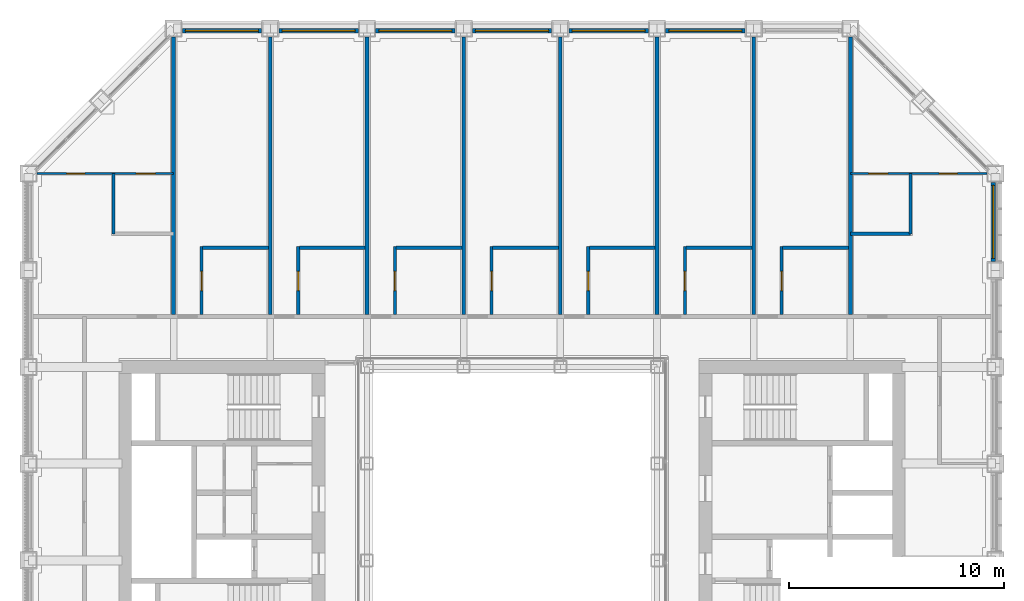
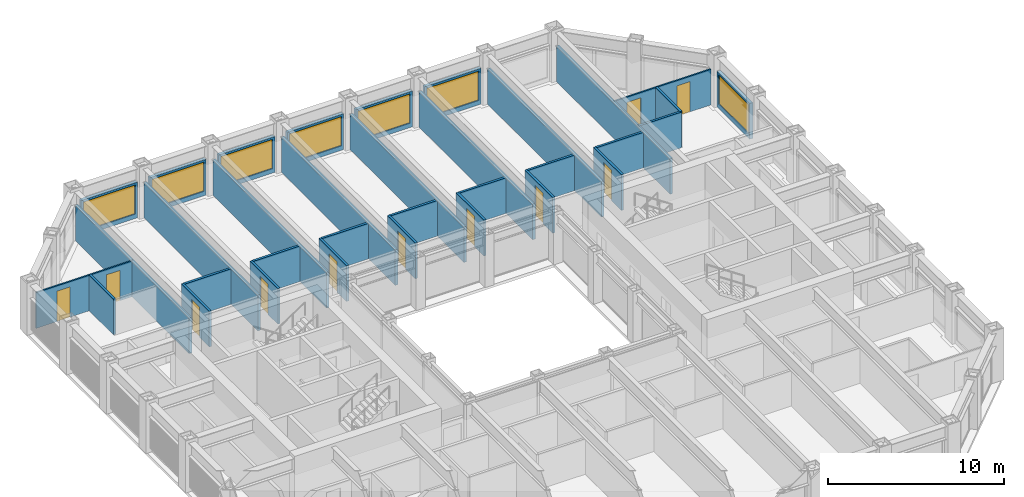
# One storey, part 14 of 18: 34 walls, 11 doors, 7 windows, 18 openings.
"""IFC4 building model written with IfcOpenShell, lengths in metres."""

from ifc_helpers import new_model, si_unit, direction, frame, frame_2d, origin, place, context, subcontext, project, spatial, rectangle, extrude, material, layer, layer_set, type_object, element, fill, save


model = new_model("IFC4")

# Units and contexts
model_context = context("Model", 3, precision=1e-05, world=origin(), true_north=direction((0.0, 1.0)))
body_context = subcontext(model_context, "Body", "Model", "MODEL_VIEW")
ifc_project = project(units=[si_unit("LENGTHUNIT", "METRE"), si_unit("AREAUNIT", "SQUARE_METRE"), si_unit("VOLUMEUNIT", "CUBIC_METRE"), si_unit("PLANEANGLEUNIT", "RADIAN"), si_unit("MASSUNIT", "GRAM", prefix="KILO")], contexts=[model_context])

# Site, building, storey
site_placement = place(None, origin())
site = spatial("IfcSite", under=ifc_project, at=site_placement, CompositionType="ELEMENT")
building_placement = place(site_placement, origin())
building = spatial("IfcBuilding", under=site, at=building_placement, Name="Msasa Ring Tower", CompositionType="ELEMENT")
storey_placement = place(building_placement, frame((0.0, 0.0, 122.0)))
storey = spatial("IfcBuildingStorey", under=building, at=storey_placement, Name="L31", CompositionType="ELEMENT", Elevation=122.0)

# Wall, opening, window
ifc_material_1 = material(Name="Terracotta rainscreen on blockwork", Category="masonry")
ifc_layer_1 = layer(ifc_material_1, 0.199951171875)
ifc_layer_set_1 = layer_set([ifc_layer_1], Name="FW1 TERRACOTTA-LINED INFILL BAY WALL 200")
wall_type_1 = type_object("IfcWallType", Name="FW1 TERRACOTTA-LINED INFILL BAY WALL 200", PredefinedType="SOLIDWALL", material=ifc_layer_set_1)
wall_1_placement = place(storey_placement, frame((22.39990234375, 11.655029296875, 0.0), z_axis=(0.0, 0.0, 1.0), x_axis=(0.0, 1.0, 0.0)))
wall_1 = element("IfcWall", 1, at=wall_1_placement, inside=storey, type_object=wall_type_1, Name="Infill bay wall E L31 15", PredefinedType="SOLIDWALL", context=body_context, shape_type="SweptSolid", body=[
    extrude(rectangle(XDim=3.68994140625, YDim=0.199951171875, at=frame_2d((1.844970703125, 0.0))), origin(), (0.0, 0.0, 1.0), 2.47900390625),
])
opening_1_placement = place(wall_1_placement, frame((0.14501953125, 0.0, 0.300048828125)))
opening_1 = element("IfcOpeningElement", 2, at=opening_1_placement, cuts=wall_1, Name="Opening WN2", PredefinedType="OPENING", context=body_context, shape_type="SweptSolid", body=[
    extrude(rectangle(XDim=3.39990234375, YDim=2.029052734375, at=frame_2d((1.699951171875, 1.0146484375))), frame((0.0, 0.10986328125, 0.0), z_axis=(0.0, -1.0, 0.0), x_axis=(1.0, 0.0, 0.0)), (0.0, 0.0, 1.0), 0.219970703125),
])
ifc_material_2 = material(Name="Aluminium frame with clear glass", Category="aluminium")
window_type = type_object("IfcWindowType", Name="WN2 GUEST ROOM WINDOW 3400x2029", PartitioningType="SINGLE_PANEL", PredefinedType="WINDOW", material=ifc_material_2)
window_1_placement = place(opening_1_placement, origin())
window_1 = element("IfcWindow", 3, at=window_1_placement, inside=storey, type_object=window_type, Name="Window E L31 15", OverallHeight=2.029052734375, OverallWidth=3.39990234375, PartitioningType="SINGLE_PANEL", PredefinedType="WINDOW", context=body_context, shape_type="SweptSolid", body=[
    extrude(rectangle(XDim=3.39990234375, YDim=2.029052734375, at=frame_2d((1.699951171875, 1.0146484375))), frame((0.0, 0.030029296875, 0.0), z_axis=(0.0, -1.0, 0.0), x_axis=(1.0, 0.0, 0.0)), (0.0, 0.0, 1.0), 0.06005859375),
])
fill(opening_1, window_1)

wall_2_placement = place(storey_placement, frame((-15.344970703125, 22.39990234375, 0.0), z_axis=(0.0, 0.0, 1.0), x_axis=(1.0, 0.0, 0.0)))
wall_2 = element("IfcWall", 4, at=wall_2_placement, inside=storey, type_object=wall_type_1, Name="Infill bay wall N L31 18", PredefinedType="SOLIDWALL", context=body_context, shape_type="SweptSolid", body=[
    extrude(rectangle(XDim=3.68994140625, YDim=0.199951171875, at=frame_2d((1.844970703125, 0.0))), origin(), (0.0, 0.0, 1.0), 2.47900390625),
])
opening_2_placement = place(wall_2_placement, frame((0.14501953125, 0.0, 0.300048828125)))
opening_2 = element("IfcOpeningElement", 5, at=opening_2_placement, cuts=wall_2, Name="Opening WN2", PredefinedType="OPENING", context=body_context, shape_type="SweptSolid", body=[
    extrude(rectangle(XDim=3.39990234375, YDim=2.029052734375, at=frame_2d((1.699951171875, 1.0146484375))), frame((0.0, 0.10986328125, 0.0), z_axis=(0.0, -1.0, 0.0), x_axis=(1.0, 0.0, 0.0)), (0.0, 0.0, 1.0), 0.219970703125),
])
window_2_placement = place(opening_2_placement, origin())
window_2 = element("IfcWindow", 6, at=window_2_placement, inside=storey, type_object=window_type, Name="Window N L31 18", OverallHeight=2.029052734375, OverallWidth=3.39990234375, PartitioningType="SINGLE_PANEL", PredefinedType="WINDOW", context=body_context, shape_type="SweptSolid", body=[
    extrude(rectangle(XDim=3.39990234375, YDim=2.029052734375, at=frame_2d((1.699951171875, 1.0146484375))), frame((0.0, 0.030029296875, 0.0), z_axis=(0.0, -1.0, 0.0), x_axis=(1.0, 0.0, 0.0)), (0.0, 0.0, 1.0), 0.06005859375),
])
fill(opening_2, window_2)

wall_3_placement = place(storey_placement, frame((-10.844970703125, 22.39990234375, 0.0), z_axis=(0.0, 0.0, 1.0), x_axis=(1.0, 0.0, 0.0)))
wall_3 = element("IfcWall", 7, at=wall_3_placement, inside=storey, type_object=wall_type_1, Name="Infill bay wall N L31 19", PredefinedType="SOLIDWALL", context=body_context, shape_type="SweptSolid", body=[
    extrude(rectangle(XDim=3.68994140625, YDim=0.199951171875, at=frame_2d((1.844970703125, 0.0))), origin(), (0.0, 0.0, 1.0), 2.47900390625),
])
opening_3_placement = place(wall_3_placement, frame((0.14501953125, 0.0, 0.300048828125)))
opening_3 = element("IfcOpeningElement", 8, at=opening_3_placement, cuts=wall_3, Name="Opening WN2", PredefinedType="OPENING", context=body_context, shape_type="SweptSolid", body=[
    extrude(rectangle(XDim=3.39990234375, YDim=2.029052734375, at=frame_2d((1.699951171875, 1.0146484375))), frame((0.0, 0.10986328125, 0.0), z_axis=(0.0, -1.0, 0.0), x_axis=(1.0, 0.0, 0.0)), (0.0, 0.0, 1.0), 0.219970703125),
])
window_3_placement = place(opening_3_placement, origin())
window_3 = element("IfcWindow", 9, at=window_3_placement, inside=storey, type_object=window_type, Name="Window N L31 19", OverallHeight=2.029052734375, OverallWidth=3.39990234375, PartitioningType="SINGLE_PANEL", PredefinedType="WINDOW", context=body_context, shape_type="SweptSolid", body=[
    extrude(rectangle(XDim=3.39990234375, YDim=2.029052734375, at=frame_2d((1.699951171875, 1.0146484375))), frame((0.0, 0.030029296875, 0.0), z_axis=(0.0, -1.0, 0.0), x_axis=(1.0, 0.0, 0.0)), (0.0, 0.0, 1.0), 0.06005859375),
])
fill(opening_3, window_3)

wall_4_placement = place(storey_placement, frame((-6.344970703125, 22.39990234375, 0.0), z_axis=(0.0, 0.0, 1.0), x_axis=(1.0, 0.0, 0.0)))
wall_4 = element("IfcWall", 10, at=wall_4_placement, inside=storey, type_object=wall_type_1, Name="Infill bay wall N L31 20", PredefinedType="SOLIDWALL", context=body_context, shape_type="SweptSolid", body=[
    extrude(rectangle(XDim=3.68994140625, YDim=0.199951171875, at=frame_2d((1.844970703125, 0.0))), origin(), (0.0, 0.0, 1.0), 2.47900390625),
])
opening_4_placement = place(wall_4_placement, frame((0.14501953125, 0.0, 0.300048828125)))
opening_4 = element("IfcOpeningElement", 11, at=opening_4_placement, cuts=wall_4, Name="Opening WN2", PredefinedType="OPENING", context=body_context, shape_type="SweptSolid", body=[
    extrude(rectangle(XDim=3.39990234375, YDim=2.029052734375, at=frame_2d((1.699951171875, 1.0146484375))), frame((0.0, 0.10986328125, 0.0), z_axis=(0.0, -1.0, 0.0), x_axis=(1.0, 0.0, 0.0)), (0.0, 0.0, 1.0), 0.219970703125),
])
window_4_placement = place(opening_4_placement, origin())
window_4 = element("IfcWindow", 12, at=window_4_placement, inside=storey, type_object=window_type, Name="Window N L31 20", OverallHeight=2.029052734375, OverallWidth=3.39990234375, PartitioningType="SINGLE_PANEL", PredefinedType="WINDOW", context=body_context, shape_type="SweptSolid", body=[
    extrude(rectangle(XDim=3.39990234375, YDim=2.029052734375, at=frame_2d((1.699951171875, 1.0146484375))), frame((0.0, 0.030029296875, 0.0), z_axis=(0.0, -1.0, 0.0), x_axis=(1.0, 0.0, 0.0)), (0.0, 0.0, 1.0), 0.06005859375),
])
fill(opening_4, window_4)

wall_5_placement = place(storey_placement, frame((-1.844970703125, 22.39990234375, 0.0), z_axis=(0.0, 0.0, 1.0), x_axis=(1.0, 0.0, 0.0)))
wall_5 = element("IfcWall", 13, at=wall_5_placement, inside=storey, type_object=wall_type_1, Name="Infill bay wall N L31 21", PredefinedType="SOLIDWALL", context=body_context, shape_type="SweptSolid", body=[
    extrude(rectangle(XDim=3.68994140625, YDim=0.199951171875, at=frame_2d((1.844970703125, 0.0))), origin(), (0.0, 0.0, 1.0), 2.47900390625),
])
opening_5_placement = place(wall_5_placement, frame((0.14501953125, 0.0, 0.300048828125)))
opening_5 = element("IfcOpeningElement", 14, at=opening_5_placement, cuts=wall_5, Name="Opening WN2", PredefinedType="OPENING", context=body_context, shape_type="SweptSolid", body=[
    extrude(rectangle(XDim=3.39990234375, YDim=2.029052734375, at=frame_2d((1.699951171875, 1.0146484375))), frame((0.0, 0.10986328125, 0.0), z_axis=(0.0, -1.0, 0.0), x_axis=(1.0, 0.0, 0.0)), (0.0, 0.0, 1.0), 0.219970703125),
])
window_5_placement = place(opening_5_placement, origin())
window_5 = element("IfcWindow", 15, at=window_5_placement, inside=storey, type_object=window_type, Name="Window N L31 21", OverallHeight=2.029052734375, OverallWidth=3.39990234375, PartitioningType="SINGLE_PANEL", PredefinedType="WINDOW", context=body_context, shape_type="SweptSolid", body=[
    extrude(rectangle(XDim=3.39990234375, YDim=2.029052734375, at=frame_2d((1.699951171875, 1.0146484375))), frame((0.0, 0.030029296875, 0.0), z_axis=(0.0, -1.0, 0.0), x_axis=(1.0, 0.0, 0.0)), (0.0, 0.0, 1.0), 0.06005859375),
])
fill(opening_5, window_5)

wall_6_placement = place(storey_placement, frame((2.655029296875, 22.39990234375, 0.0), z_axis=(0.0, 0.0, 1.0), x_axis=(1.0, 0.0, 0.0)))
wall_6 = element("IfcWall", 16, at=wall_6_placement, inside=storey, type_object=wall_type_1, Name="Infill bay wall N L31 22", PredefinedType="SOLIDWALL", context=body_context, shape_type="SweptSolid", body=[
    extrude(rectangle(XDim=3.68994140625, YDim=0.199951171875, at=frame_2d((1.844970703125, 0.0))), origin(), (0.0, 0.0, 1.0), 2.47900390625),
])
opening_6_placement = place(wall_6_placement, frame((0.14501953125, 0.0, 0.300048828125)))
opening_6 = element("IfcOpeningElement", 17, at=opening_6_placement, cuts=wall_6, Name="Opening WN2", PredefinedType="OPENING", context=body_context, shape_type="SweptSolid", body=[
    extrude(rectangle(XDim=3.39990234375, YDim=2.029052734375, at=frame_2d((1.699951171875, 1.0146484375))), frame((0.0, 0.10986328125, 0.0), z_axis=(0.0, -1.0, 0.0), x_axis=(1.0, 0.0, 0.0)), (0.0, 0.0, 1.0), 0.219970703125),
])
window_6_placement = place(opening_6_placement, origin())
window_6 = element("IfcWindow", 18, at=window_6_placement, inside=storey, type_object=window_type, Name="Window N L31 22", OverallHeight=2.029052734375, OverallWidth=3.39990234375, PartitioningType="SINGLE_PANEL", PredefinedType="WINDOW", context=body_context, shape_type="SweptSolid", body=[
    extrude(rectangle(XDim=3.39990234375, YDim=2.029052734375, at=frame_2d((1.699951171875, 1.0146484375))), frame((0.0, 0.030029296875, 0.0), z_axis=(0.0, -1.0, 0.0), x_axis=(1.0, 0.0, 0.0)), (0.0, 0.0, 1.0), 0.06005859375),
])
fill(opening_6, window_6)

wall_7_placement = place(storey_placement, frame((7.155029296875, 22.39990234375, 0.0), z_axis=(0.0, 0.0, 1.0), x_axis=(1.0, 0.0, 0.0)))
wall_7 = element("IfcWall", 19, at=wall_7_placement, inside=storey, type_object=wall_type_1, Name="Infill bay wall N L31 23", PredefinedType="SOLIDWALL", context=body_context, shape_type="SweptSolid", body=[
    extrude(rectangle(XDim=3.68994140625, YDim=0.199951171875, at=frame_2d((1.844970703125, 0.0))), origin(), (0.0, 0.0, 1.0), 2.47900390625),
])
opening_7_placement = place(wall_7_placement, frame((0.14501953125, 0.0, 0.300048828125)))
opening_7 = element("IfcOpeningElement", 20, at=opening_7_placement, cuts=wall_7, Name="Opening WN2", PredefinedType="OPENING", context=body_context, shape_type="SweptSolid", body=[
    extrude(rectangle(XDim=3.39990234375, YDim=2.029052734375, at=frame_2d((1.699951171875, 1.0146484375))), frame((0.0, 0.10986328125, 0.0), z_axis=(0.0, -1.0, 0.0), x_axis=(1.0, 0.0, 0.0)), (0.0, 0.0, 1.0), 0.219970703125),
])
window_7_placement = place(opening_7_placement, origin())
window_7 = element("IfcWindow", 21, at=window_7_placement, inside=storey, type_object=window_type, Name="Window N L31 23", OverallHeight=2.029052734375, OverallWidth=3.39990234375, PartitioningType="SINGLE_PANEL", PredefinedType="WINDOW", context=body_context, shape_type="SweptSolid", body=[
    extrude(rectangle(XDim=3.39990234375, YDim=2.029052734375, at=frame_2d((1.699951171875, 1.0146484375))), frame((0.0, 0.030029296875, 0.0), z_axis=(0.0, -1.0, 0.0), x_axis=(1.0, 0.0, 0.0)), (0.0, 0.0, 1.0), 0.06005859375),
])
fill(opening_7, window_7)

# Wall, openings, doors
ifc_material_3 = material(Name="Gypsum board on steel studs", Category="steel")
ifc_layer_2 = layer(ifc_material_3, 0.10009765625)
ifc_layer_set_2 = layer_set([ifc_layer_2], Name="PT2 STUD PARTITION 100")
wall_type_2 = type_object("IfcWallType", Name="PT2 STUD PARTITION 100", PredefinedType="PARTITIONING", material=ifc_layer_set_2)
wall_8_placement = place(storey_placement, frame((15.75, 15.75, 0.0), z_axis=(0.0, 0.0, 1.0), x_axis=(1.0, 0.0, 0.0)))
wall_8 = element("IfcWall", 22, at=wall_8_placement, inside=storey, type_object=wall_type_2, Name="Partition L31-CSNEX", PredefinedType="PARTITIONING", context=body_context, shape_type="SweptSolid", body=[
    extrude(rectangle(XDim=6.35009765625, YDim=0.10009765625, at=frame_2d((3.175048828125, 0.0))), origin(), (0.0, 0.0, 1.0), 2.473388671875),
])
opening_8_placement = place(wall_8_placement, frame((4.125, 0.0, 0.0)))
opening_8 = element("IfcOpeningElement", 23, at=opening_8_placement, cuts=wall_8, Name="Opening HA-004", PredefinedType="OPENING", context=body_context, shape_type="SweptSolid", body=[
    extrude(rectangle(XDim=0.85009765625, YDim=2.10009765625, at=frame_2d((0.425048828125, 1.050048828125))), frame((0.0, 0.06005859375, 0.0), z_axis=(0.0, -1.0, 0.0), x_axis=(1.0, 0.0, 0.0)), (0.0, 0.0, 1.0), 0.1201171875),
])
opening_9_placement = place(wall_8_placement, frame((0.85009765625, 0.0, 0.0)))
opening_9 = element("IfcOpeningElement", 24, at=opening_9_placement, cuts=wall_8, Name="Opening HA-003", PredefinedType="OPENING", context=body_context, shape_type="SweptSolid", body=[
    extrude(rectangle(XDim=0.89990234375, YDim=2.10009765625, at=frame_2d((0.449951171875, 1.050048828125))), frame((0.0, 0.06005859375, 0.0), z_axis=(0.0, -1.0, 0.0), x_axis=(1.0, 0.0, 0.0)), (0.0, 0.0, 1.0), 0.1201171875),
])
ifc_material_4 = material(Name="Timber door leaf in a steel frame", Category="steel")
door_type_1 = type_object("IfcDoorType", Name="D14 BEDROOM DOOR 850x2100", OperationType="SINGLE_SWING_LEFT", PredefinedType="DOOR", material=ifc_material_4)
door_1_placement = place(opening_8_placement, origin())
door_1 = element("IfcDoor", 25, at=door_1_placement, inside=storey, type_object=door_type_1, Name="Door L31-CSNER1", OperationType="SINGLE_SWING_RIGHT", OverallHeight=2.10009765625, OverallWidth=0.85009765625, PredefinedType="DOOR", context=body_context, shape_type="SweptSolid", body=[
    extrude(rectangle(XDim=0.85009765625, YDim=2.10009765625, at=frame_2d((0.425048828125, 1.050048828125))), frame((0.0, 0.02490234375, 0.0), z_axis=(0.0, -1.0, 0.0), x_axis=(1.0, 0.0, 0.0)), (0.0, 0.0, 1.0), 0.050048828125),
])
fill(opening_8, door_1)
ifc_material_5 = material(Name="Timber door leaf in a steel frame", Category="steel")
door_type_2 = type_object("IfcDoorType", Name="D3 BATHROOM DOOR 900x2100", OperationType="SINGLE_SWING_LEFT", PredefinedType="DOOR", material=ifc_material_5)
door_2_placement = place(opening_9_placement, origin())
door_2 = element("IfcDoor", 26, at=door_2_placement, inside=storey, type_object=door_type_2, Name="Door L31-CSNEB1", OperationType="SINGLE_SWING_LEFT", OverallHeight=2.10009765625, OverallWidth=0.89990234375, PredefinedType="DOOR", context=body_context, shape_type="SweptSolid", body=[
    extrude(rectangle(XDim=0.89990234375, YDim=2.10009765625, at=frame_2d((0.449951171875, 1.050048828125))), frame((0.0, 0.02490234375, 0.0), z_axis=(0.0, -1.0, 0.0), x_axis=(1.0, 0.0, 0.0)), (0.0, 0.0, 1.0), 0.050048828125),
])
fill(opening_9, door_2)

wall_9_placement = place(storey_placement, frame((-22.10009765625, 15.75, 0.0), z_axis=(0.0, 0.0, 1.0), x_axis=(1.0, 0.0, 0.0)))
wall_9 = element("IfcWall", 27, at=wall_9_placement, inside=storey, type_object=wall_type_2, Name="Partition L31-CSNWX", PredefinedType="PARTITIONING", context=body_context, shape_type="SweptSolid", body=[
    extrude(rectangle(XDim=6.35009765625, YDim=0.10009765625, at=frame_2d((3.175048828125, 0.0))), origin(), (0.0, 0.0, 1.0), 2.473388671875),
])
opening_10_placement = place(wall_9_placement, frame((1.375, 0.0, 0.0)))
opening_10 = element("IfcOpeningElement", 28, at=opening_10_placement, cuts=wall_9, Name="Opening HA-001", PredefinedType="OPENING", context=body_context, shape_type="SweptSolid", body=[
    extrude(rectangle(XDim=0.85009765625, YDim=2.10009765625, at=frame_2d((0.425048828125, 1.050048828125))), frame((0.0, 0.06005859375, 0.0), z_axis=(0.0, -1.0, 0.0), x_axis=(1.0, 0.0, 0.0)), (0.0, 0.0, 1.0), 0.1201171875),
])
opening_11_placement = place(wall_9_placement, frame((4.60009765625, 0.0, 0.0)))
opening_11 = element("IfcOpeningElement", 29, at=opening_11_placement, cuts=wall_9, Name="Opening HA-002", PredefinedType="OPENING", context=body_context, shape_type="SweptSolid", body=[
    extrude(rectangle(XDim=0.89990234375, YDim=2.10009765625, at=frame_2d((0.449951171875, 1.050048828125))), frame((0.0, 0.06005859375, 0.0), z_axis=(0.0, -1.0, 0.0), x_axis=(1.0, 0.0, 0.0)), (0.0, 0.0, 1.0), 0.1201171875),
])
door_3_placement = place(opening_10_placement, origin())
door_3 = element("IfcDoor", 30, at=door_3_placement, inside=storey, type_object=door_type_1, Name="Door L31-CSNWR1", OperationType="SINGLE_SWING_LEFT", OverallHeight=2.10009765625, OverallWidth=0.85009765625, PredefinedType="DOOR", context=body_context, shape_type="SweptSolid", body=[
    extrude(rectangle(XDim=0.85009765625, YDim=2.10009765625, at=frame_2d((0.425048828125, 1.050048828125))), frame((0.0, 0.02490234375, 0.0), z_axis=(0.0, -1.0, 0.0), x_axis=(1.0, 0.0, 0.0)), (0.0, 0.0, 1.0), 0.050048828125),
])
fill(opening_10, door_3)
door_4_placement = place(opening_11_placement, origin())
door_4 = element("IfcDoor", 31, at=door_4_placement, inside=storey, type_object=door_type_2, Name="Door L31-CSNWB1", OperationType="SINGLE_SWING_RIGHT", OverallHeight=2.10009765625, OverallWidth=0.89990234375, PredefinedType="DOOR", context=body_context, shape_type="SweptSolid", body=[
    extrude(rectangle(XDim=0.89990234375, YDim=2.10009765625, at=frame_2d((0.449951171875, 1.050048828125))), frame((0.0, 0.02490234375, 0.0), z_axis=(0.0, -1.0, 0.0), x_axis=(1.0, 0.0, 0.0)), (0.0, 0.0, 1.0), 0.050048828125),
])
fill(opening_11, door_4)

# Wall, opening, door
ifc_material_6 = material(Name="Moisture-resistant board on steel studs with a concealed cistern and pipe void, tiled", Category="steel")
ifc_layer_3 = layer(ifc_material_6, 0.14990234375)
ifc_layer_set_3 = layer_set([ifc_layer_3], Name="PT4 BATHROOM WET WALL 150")
wall_type_3 = type_object("IfcWallType", Name="PT4 BATHROOM WET WALL 150", PredefinedType="PARTITIONING", material=ifc_layer_set_3)
wall_10_placement = place(storey_placement, frame((-14.449951171875, 9.199951171875, 0.0), z_axis=(0.0, 0.0, 1.0), x_axis=(0.0, 1.0, 0.0)))
wall_10 = element("IfcWall", 32, at=wall_10_placement, inside=storey, type_object=wall_type_3, Name="Partition L31-GN00BX", PredefinedType="PARTITIONING", context=body_context, shape_type="SweptSolid", body=[
    extrude(rectangle(XDim=3.150146484375, YDim=0.14990234375, at=frame_2d((1.5751953125, 0.0))), origin(), (0.0, 0.0, 1.0), 2.473388671875),
])
opening_12_placement = place(wall_10_placement, frame((1.10009765625, 0.0, 0.0)))
opening_12 = element("IfcOpeningElement", 33, at=opening_12_placement, cuts=wall_10, Name="Opening HA-005", PredefinedType="OPENING", context=body_context, shape_type="SweptSolid", body=[
    extrude(rectangle(XDim=0.89990234375, YDim=2.10009765625, at=frame_2d((0.449951171875, 1.050048828125))), frame((0.0, 0.0849609375, 0.0), z_axis=(0.0, -1.0, 0.0), x_axis=(1.0, 0.0, 0.0)), (0.0, 0.0, 1.0), 0.169921875),
])
door_5_placement = place(opening_12_placement, origin())
door_5 = element("IfcDoor", 34, at=door_5_placement, inside=storey, type_object=door_type_2, Name="Door L31-GN00B", OperationType="SINGLE_SWING_LEFT", OverallHeight=2.10009765625, OverallWidth=0.89990234375, PredefinedType="DOOR", context=body_context, shape_type="SweptSolid", body=[
    extrude(rectangle(XDim=0.89990234375, YDim=2.10009765625, at=frame_2d((0.449951171875, 1.050048828125))), frame((0.0, 0.02490234375, 0.0), z_axis=(0.0, -1.0, 0.0), x_axis=(1.0, 0.0, 0.0)), (0.0, 0.0, 1.0), 0.050048828125),
])
fill(opening_12, door_5)

# Wall
wall_11_placement = place(storey_placement, frame((-14.39990234375, 12.300048828125, 0.0), z_axis=(0.0, 0.0, 1.0), x_axis=(1.0, 0.0, 0.0)))
element("IfcWall", 35, at=wall_11_placement, inside=storey, type_object=wall_type_3, Name="Partition L31-GN00BY", PredefinedType="PARTITIONING", context=body_context, shape_type="SweptSolid", body=[
    extrude(rectangle(XDim=3.0625, YDim=0.14990234375, at=frame_2d((1.53125, 0.0))), origin(), (0.0, 0.0, 1.0), 2.473388671875),
])

# Wall, opening, door
wall_12_placement = place(storey_placement, frame((-9.949951171875, 9.199951171875, 0.0), z_axis=(0.0, 0.0, 1.0), x_axis=(0.0, 1.0, 0.0)))
wall_12 = element("IfcWall", 36, at=wall_12_placement, inside=storey, type_object=wall_type_3, Name="Partition L31-GN01BX", PredefinedType="PARTITIONING", context=body_context, shape_type="SweptSolid", body=[
    extrude(rectangle(XDim=3.150146484375, YDim=0.14990234375, at=frame_2d((1.5751953125, 0.0))), origin(), (0.0, 0.0, 1.0), 2.473388671875),
])
opening_13_placement = place(wall_12_placement, frame((1.10009765625, 0.0, 0.0)))
opening_13 = element("IfcOpeningElement", 37, at=opening_13_placement, cuts=wall_12, Name="Opening HA-006", PredefinedType="OPENING", context=body_context, shape_type="SweptSolid", body=[
    extrude(rectangle(XDim=0.89990234375, YDim=2.10009765625, at=frame_2d((0.449951171875, 1.050048828125))), frame((0.0, 0.0849609375, 0.0), z_axis=(0.0, -1.0, 0.0), x_axis=(1.0, 0.0, 0.0)), (0.0, 0.0, 1.0), 0.169921875),
])
door_6_placement = place(opening_13_placement, origin())
door_6 = element("IfcDoor", 38, at=door_6_placement, inside=storey, type_object=door_type_2, Name="Door L31-GN01B", OperationType="SINGLE_SWING_LEFT", OverallHeight=2.10009765625, OverallWidth=0.89990234375, PredefinedType="DOOR", context=body_context, shape_type="SweptSolid", body=[
    extrude(rectangle(XDim=0.89990234375, YDim=2.10009765625, at=frame_2d((0.449951171875, 1.050048828125))), frame((0.0, 0.02490234375, 0.0), z_axis=(0.0, -1.0, 0.0), x_axis=(1.0, 0.0, 0.0)), (0.0, 0.0, 1.0), 0.050048828125),
])
fill(opening_13, door_6)

# Wall
wall_13_placement = place(storey_placement, frame((-9.89990234375, 12.300048828125, 0.0), z_axis=(0.0, 0.0, 1.0), x_axis=(1.0, 0.0, 0.0)))
element("IfcWall", 39, at=wall_13_placement, inside=storey, type_object=wall_type_3, Name="Partition L31-GN01BY", PredefinedType="PARTITIONING", context=body_context, shape_type="SweptSolid", body=[
    extrude(rectangle(XDim=3.0625, YDim=0.14990234375, at=frame_2d((1.53125, 0.0))), origin(), (0.0, 0.0, 1.0), 2.473388671875),
])

# Wall, opening, door
wall_14_placement = place(storey_placement, frame((-5.449951171875, 9.199951171875, 0.0), z_axis=(0.0, 0.0, 1.0), x_axis=(0.0, 1.0, 0.0)))
wall_14 = element("IfcWall", 40, at=wall_14_placement, inside=storey, type_object=wall_type_3, Name="Partition L31-GN02BX", PredefinedType="PARTITIONING", context=body_context, shape_type="SweptSolid", body=[
    extrude(rectangle(XDim=3.150146484375, YDim=0.14990234375, at=frame_2d((1.5751953125, 0.0))), origin(), (0.0, 0.0, 1.0), 2.473388671875),
])
opening_14_placement = place(wall_14_placement, frame((1.10009765625, 0.0, 0.0)))
opening_14 = element("IfcOpeningElement", 41, at=opening_14_placement, cuts=wall_14, Name="Opening HA-007", PredefinedType="OPENING", context=body_context, shape_type="SweptSolid", body=[
    extrude(rectangle(XDim=0.89990234375, YDim=2.10009765625, at=frame_2d((0.449951171875, 1.050048828125))), frame((0.0, 0.0849609375, 0.0), z_axis=(0.0, -1.0, 0.0), x_axis=(1.0, 0.0, 0.0)), (0.0, 0.0, 1.0), 0.169921875),
])
door_7_placement = place(opening_14_placement, origin())
door_7 = element("IfcDoor", 42, at=door_7_placement, inside=storey, type_object=door_type_2, Name="Door L31-GN02B", OperationType="SINGLE_SWING_LEFT", OverallHeight=2.10009765625, OverallWidth=0.89990234375, PredefinedType="DOOR", context=body_context, shape_type="SweptSolid", body=[
    extrude(rectangle(XDim=0.89990234375, YDim=2.10009765625, at=frame_2d((0.449951171875, 1.050048828125))), frame((0.0, 0.02490234375, 0.0), z_axis=(0.0, -1.0, 0.0), x_axis=(1.0, 0.0, 0.0)), (0.0, 0.0, 1.0), 0.050048828125),
])
fill(opening_14, door_7)

# Wall
wall_15_placement = place(storey_placement, frame((-5.39990234375, 12.300048828125, 0.0), z_axis=(0.0, 0.0, 1.0), x_axis=(1.0, 0.0, 0.0)))
element("IfcWall", 43, at=wall_15_placement, inside=storey, type_object=wall_type_3, Name="Partition L31-GN02BY", PredefinedType="PARTITIONING", context=body_context, shape_type="SweptSolid", body=[
    extrude(rectangle(XDim=3.0625, YDim=0.14990234375, at=frame_2d((1.53125, 0.0))), origin(), (0.0, 0.0, 1.0), 2.473388671875),
])

# Wall, opening, door
wall_16_placement = place(storey_placement, frame((-0.949951171875, 9.199951171875, 0.0), z_axis=(0.0, 0.0, 1.0), x_axis=(0.0, 1.0, 0.0)))
wall_16 = element("IfcWall", 44, at=wall_16_placement, inside=storey, type_object=wall_type_3, Name="Partition L31-GN03BX", PredefinedType="PARTITIONING", context=body_context, shape_type="SweptSolid", body=[
    extrude(rectangle(XDim=3.150146484375, YDim=0.14990234375, at=frame_2d((1.5751953125, 0.0))), origin(), (0.0, 0.0, 1.0), 2.473388671875),
])
opening_15_placement = place(wall_16_placement, frame((1.10009765625, 0.0, 0.0)))
opening_15 = element("IfcOpeningElement", 45, at=opening_15_placement, cuts=wall_16, Name="Opening HA-008", PredefinedType="OPENING", context=body_context, shape_type="SweptSolid", body=[
    extrude(rectangle(XDim=0.89990234375, YDim=2.10009765625, at=frame_2d((0.449951171875, 1.050048828125))), frame((0.0, 0.0849609375, 0.0), z_axis=(0.0, -1.0, 0.0), x_axis=(1.0, 0.0, 0.0)), (0.0, 0.0, 1.0), 0.169921875),
])
door_8_placement = place(opening_15_placement, origin())
door_8 = element("IfcDoor", 46, at=door_8_placement, inside=storey, type_object=door_type_2, Name="Door L31-GN03B", OperationType="SINGLE_SWING_LEFT", OverallHeight=2.10009765625, OverallWidth=0.89990234375, PredefinedType="DOOR", context=body_context, shape_type="SweptSolid", body=[
    extrude(rectangle(XDim=0.89990234375, YDim=2.10009765625, at=frame_2d((0.449951171875, 1.050048828125))), frame((0.0, 0.02490234375, 0.0), z_axis=(0.0, -1.0, 0.0), x_axis=(1.0, 0.0, 0.0)), (0.0, 0.0, 1.0), 0.050048828125),
])
fill(opening_15, door_8)

# Wall
wall_17_placement = place(storey_placement, frame((-0.89990234375, 12.300048828125, 0.0), z_axis=(0.0, 0.0, 1.0), x_axis=(1.0, 0.0, 0.0)))
element("IfcWall", 47, at=wall_17_placement, inside=storey, type_object=wall_type_3, Name="Partition L31-GN03BY", PredefinedType="PARTITIONING", context=body_context, shape_type="SweptSolid", body=[
    extrude(rectangle(XDim=3.0625, YDim=0.14990234375, at=frame_2d((1.53125, 0.0))), origin(), (0.0, 0.0, 1.0), 2.473388671875),
])

# Wall, opening, door
wall_18_placement = place(storey_placement, frame((3.550048828125, 9.199951171875, 0.0), z_axis=(0.0, 0.0, 1.0), x_axis=(0.0, 1.0, 0.0)))
wall_18 = element("IfcWall", 48, at=wall_18_placement, inside=storey, type_object=wall_type_3, Name="Partition L31-GN04BX", PredefinedType="PARTITIONING", context=body_context, shape_type="SweptSolid", body=[
    extrude(rectangle(XDim=3.150146484375, YDim=0.14990234375, at=frame_2d((1.5751953125, 0.0))), origin(), (0.0, 0.0, 1.0), 2.473388671875),
])
opening_16_placement = place(wall_18_placement, frame((1.10009765625, 0.0, 0.0)))
opening_16 = element("IfcOpeningElement", 49, at=opening_16_placement, cuts=wall_18, Name="Opening HA-009", PredefinedType="OPENING", context=body_context, shape_type="SweptSolid", body=[
    extrude(rectangle(XDim=0.89990234375, YDim=2.10009765625, at=frame_2d((0.449951171875, 1.050048828125))), frame((0.0, 0.0849609375, 0.0), z_axis=(0.0, -1.0, 0.0), x_axis=(1.0, 0.0, 0.0)), (0.0, 0.0, 1.0), 0.169921875),
])
door_9_placement = place(opening_16_placement, origin())
door_9 = element("IfcDoor", 50, at=door_9_placement, inside=storey, type_object=door_type_2, Name="Door L31-GN04B", OperationType="SINGLE_SWING_LEFT", OverallHeight=2.10009765625, OverallWidth=0.89990234375, PredefinedType="DOOR", context=body_context, shape_type="SweptSolid", body=[
    extrude(rectangle(XDim=0.89990234375, YDim=2.10009765625, at=frame_2d((0.449951171875, 1.050048828125))), frame((0.0, 0.02490234375, 0.0), z_axis=(0.0, -1.0, 0.0), x_axis=(1.0, 0.0, 0.0)), (0.0, 0.0, 1.0), 0.050048828125),
])
fill(opening_16, door_9)

# Wall
wall_19_placement = place(storey_placement, frame((3.60009765625, 12.300048828125, 0.0), z_axis=(0.0, 0.0, 1.0), x_axis=(1.0, 0.0, 0.0)))
element("IfcWall", 51, at=wall_19_placement, inside=storey, type_object=wall_type_3, Name="Partition L31-GN04BY", PredefinedType="PARTITIONING", context=body_context, shape_type="SweptSolid", body=[
    extrude(rectangle(XDim=3.0625, YDim=0.14990234375, at=frame_2d((1.53125, 0.0))), origin(), (0.0, 0.0, 1.0), 2.473388671875),
])

# Wall, opening, door
wall_20_placement = place(storey_placement, frame((8.050048828125, 9.199951171875, 0.0), z_axis=(0.0, 0.0, 1.0), x_axis=(0.0, 1.0, 0.0)))
wall_20 = element("IfcWall", 52, at=wall_20_placement, inside=storey, type_object=wall_type_3, Name="Partition L31-GN05BX", PredefinedType="PARTITIONING", context=body_context, shape_type="SweptSolid", body=[
    extrude(rectangle(XDim=3.150146484375, YDim=0.14990234375, at=frame_2d((1.5751953125, 0.0))), origin(), (0.0, 0.0, 1.0), 2.473388671875),
])
opening_17_placement = place(wall_20_placement, frame((1.10009765625, 0.0, 0.0)))
opening_17 = element("IfcOpeningElement", 53, at=opening_17_placement, cuts=wall_20, Name="Opening HA-010", PredefinedType="OPENING", context=body_context, shape_type="SweptSolid", body=[
    extrude(rectangle(XDim=0.89990234375, YDim=2.10009765625, at=frame_2d((0.449951171875, 1.050048828125))), frame((0.0, 0.0849609375, 0.0), z_axis=(0.0, -1.0, 0.0), x_axis=(1.0, 0.0, 0.0)), (0.0, 0.0, 1.0), 0.169921875),
])
door_10_placement = place(opening_17_placement, origin())
door_10 = element("IfcDoor", 54, at=door_10_placement, inside=storey, type_object=door_type_2, Name="Door L31-GN05B", OperationType="SINGLE_SWING_LEFT", OverallHeight=2.10009765625, OverallWidth=0.89990234375, PredefinedType="DOOR", context=body_context, shape_type="SweptSolid", body=[
    extrude(rectangle(XDim=0.89990234375, YDim=2.10009765625, at=frame_2d((0.449951171875, 1.050048828125))), frame((0.0, 0.02490234375, 0.0), z_axis=(0.0, -1.0, 0.0), x_axis=(1.0, 0.0, 0.0)), (0.0, 0.0, 1.0), 0.050048828125),
])
fill(opening_17, door_10)

# Wall
wall_21_placement = place(storey_placement, frame((8.10009765625, 12.300048828125, 0.0), z_axis=(0.0, 0.0, 1.0), x_axis=(1.0, 0.0, 0.0)))
element("IfcWall", 55, at=wall_21_placement, inside=storey, type_object=wall_type_3, Name="Partition L31-GN05BY", PredefinedType="PARTITIONING", context=body_context, shape_type="SweptSolid", body=[
    extrude(rectangle(XDim=3.0625, YDim=0.14990234375, at=frame_2d((1.53125, 0.0))), origin(), (0.0, 0.0, 1.0), 2.473388671875),
])

# Wall, opening, door
wall_22_placement = place(storey_placement, frame((12.550048828125, 9.199951171875, 0.0), z_axis=(0.0, 0.0, 1.0), x_axis=(0.0, 1.0, 0.0)))
wall_22 = element("IfcWall", 56, at=wall_22_placement, inside=storey, type_object=wall_type_3, Name="Partition L31-GN06BX", PredefinedType="PARTITIONING", context=body_context, shape_type="SweptSolid", body=[
    extrude(rectangle(XDim=3.150146484375, YDim=0.14990234375, at=frame_2d((1.5751953125, 0.0))), origin(), (0.0, 0.0, 1.0), 2.473388671875),
])
opening_18_placement = place(wall_22_placement, frame((1.10009765625, 0.0, 0.0)))
opening_18 = element("IfcOpeningElement", 57, at=opening_18_placement, cuts=wall_22, Name="Opening HA-011", PredefinedType="OPENING", context=body_context, shape_type="SweptSolid", body=[
    extrude(rectangle(XDim=0.89990234375, YDim=2.10009765625, at=frame_2d((0.449951171875, 1.050048828125))), frame((0.0, 0.0849609375, 0.0), z_axis=(0.0, -1.0, 0.0), x_axis=(1.0, 0.0, 0.0)), (0.0, 0.0, 1.0), 0.169921875),
])
door_11_placement = place(opening_18_placement, origin())
door_11 = element("IfcDoor", 58, at=door_11_placement, inside=storey, type_object=door_type_2, Name="Door L31-GN06B", OperationType="SINGLE_SWING_LEFT", OverallHeight=2.10009765625, OverallWidth=0.89990234375, PredefinedType="DOOR", context=body_context, shape_type="SweptSolid", body=[
    extrude(rectangle(XDim=0.89990234375, YDim=2.10009765625, at=frame_2d((0.449951171875, 1.050048828125))), frame((0.0, 0.02490234375, 0.0), z_axis=(0.0, -1.0, 0.0), x_axis=(1.0, 0.0, 0.0)), (0.0, 0.0, 1.0), 0.050048828125),
])
fill(opening_18, door_11)

# Walls
wall_23_placement = place(storey_placement, frame((12.60009765625, 12.300048828125, 0.0), z_axis=(0.0, 0.0, 1.0), x_axis=(1.0, 0.0, 0.0)))
element("IfcWall", 59, at=wall_23_placement, inside=storey, type_object=wall_type_3, Name="Partition L31-GN06BY", PredefinedType="PARTITIONING", context=body_context, shape_type="SweptSolid", body=[
    extrude(rectangle(XDim=3.0625, YDim=0.14990234375, at=frame_2d((1.53125, 0.0))), origin(), (0.0, 0.0, 1.0), 2.473388671875),
])
for number, where, z_axis, x_axis, name in (
    (60, (18.550048828125, 12.949951171875, 0.0), (0.0, 0.0, 1.0), (0.0, 1.0, 0.0), "Partition L31-CSNEBX"),
    (61, (15.75, 12.949951171875, 0.0), (0.0, 0.0, 1.0), (1.0, 0.0, 0.0), "Partition L31-CSNEBY"),
    (62, (-18.550048828125, 12.949951171875, 0.0), (0.0, 0.0, 1.0), (0.0, 1.0, 0.0), "Partition L31-CSNWBX"),
):
    element("IfcWall", number, at=place(storey_placement, frame(where, z_axis=z_axis, x_axis=x_axis)), inside=storey, type_object=wall_type_3, Name=name, PredefinedType="PARTITIONING", context=body_context, shape_type="SweptSolid", body=[
        extrude(rectangle(XDim=2.800048828125, YDim=0.14990234375, at=frame_2d((1.39990234375, 0.0))), origin(), (0.0, 0.0, 1.0), 2.473388671875),
    ])
ifc_material_7 = material(Name="Twin steel studs, two layers of acoustic board each face, mineral wool", Category="steel")
ifc_layer_4 = layer(ifc_material_7, 0.175048828125)
ifc_layer_set_4 = layer_set([ifc_layer_4], Name="PT5 GUEST ROOM SEPARATING WALL 175")
wall_type_4 = type_object("IfcWallType", Name="PT5 GUEST ROOM SEPARATING WALL 175", PredefinedType="PARTITIONING", material=ifc_layer_set_4)
for number, where, z_axis, x_axis, name in (
    (63, (-15.75, 9.199951171875, 0.0), (0.0, 0.0, 1.0), (0.0, 1.0, 0.0), "Partition L31-PWN-15.75"),
    (64, (-11.25, 9.199951171875, 0.0), (0.0, 0.0, 1.0), (0.0, 1.0, 0.0), "Partition L31-PWN-11.25"),
    (65, (-6.75, 9.199951171875, 0.0), (0.0, 0.0, 1.0), (0.0, 1.0, 0.0), "Partition L31-PWN-6.75"),
    (66, (-2.25, 9.199951171875, 0.0), (0.0, 0.0, 1.0), (0.0, 1.0, 0.0), "Partition L31-PWN-2.25"),
    (67, (2.25, 9.199951171875, 0.0), (0.0, 0.0, 1.0), (0.0, 1.0, 0.0), "Partition L31-PWN+2.25"),
    (68, (6.75, 9.199951171875, 0.0), (0.0, 0.0, 1.0), (0.0, 1.0, 0.0), "Partition L31-PWN+6.75"),
    (69, (11.25, 9.199951171875, 0.0), (0.0, 0.0, 1.0), (0.0, 1.0, 0.0), "Partition L31-PWN+11.25"),
    (70, (15.75, 9.199951171875, 0.0), (0.0, 0.0, 1.0), (0.0, 1.0, 0.0), "Partition L31-PWN+15.75"),
):
    element("IfcWall", number, at=place(storey_placement, frame(where, z_axis=z_axis, x_axis=x_axis)), inside=storey, type_object=wall_type_4, Name=name, PredefinedType="PARTITIONING", context=body_context, shape_type="SweptSolid", body=[
        extrude(rectangle(XDim=12.900146484375, YDim=0.175048828125, at=frame_2d((6.4501953125, 0.0))), origin(), (0.0, 0.0, 1.0), 2.473388671875),
    ])

save(model, "model.ifc")
